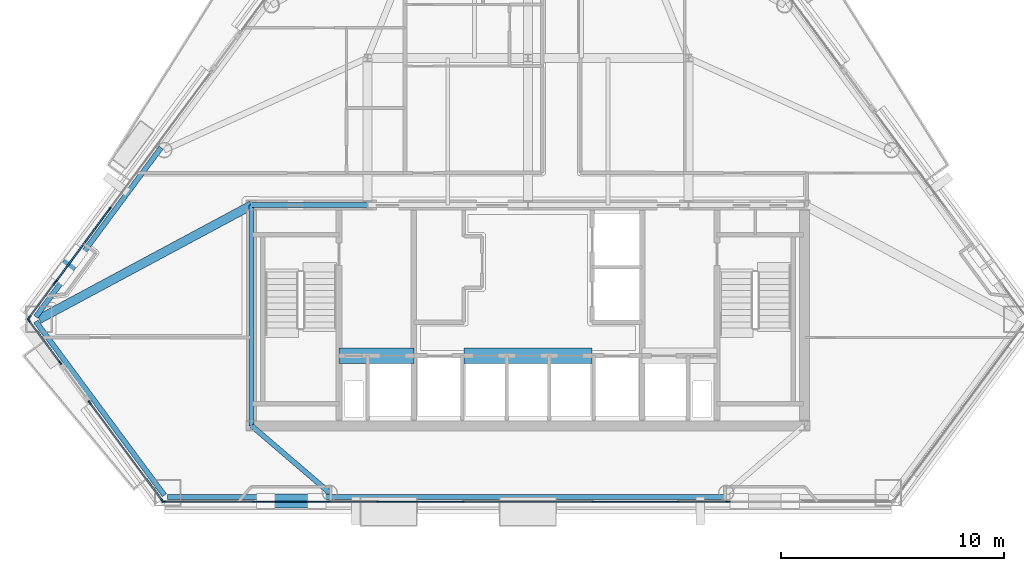
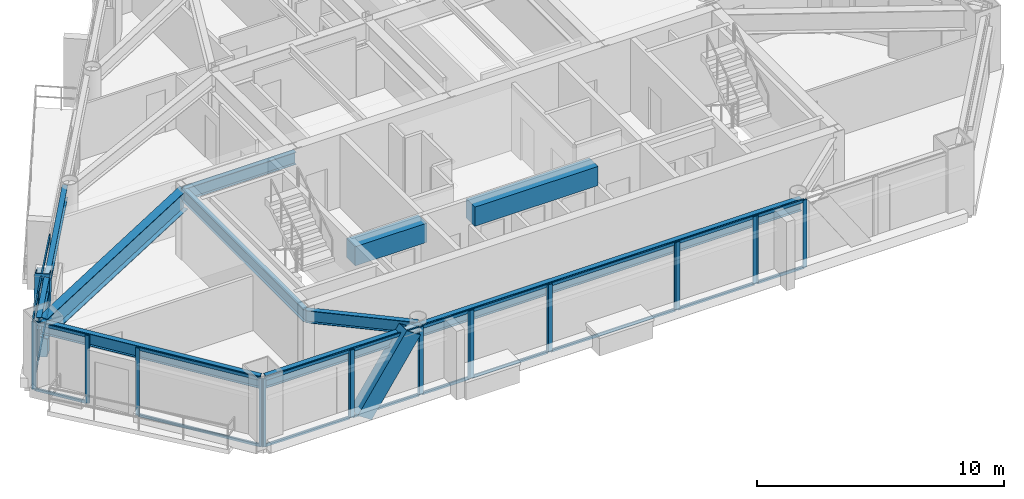
# One storey, part 3 of 13: 47 members, 10 beams, 12 elements without a shape of their own.
"""IFC4 building model written with IfcOpenShell, lengths in metres."""

from ifc_helpers import new_model, si_unit, direction, frame, origin, origin_2d, place, context, subcontext, project, spatial, rectangle, hollow_rectangle, i_section, extrude, material, layer, layer_set, material_profile, profile_set, type_object, element, aggregate, save


model = new_model("IFC4")

# Units and contexts
model_context = context("Model", 3, precision=1e-05, world=origin(), true_north=direction((0.0, 1.0)))
body_context = subcontext(model_context, "Body", "Model", "MODEL_VIEW")
ifc_project = project(units=[si_unit("LENGTHUNIT", "METRE"), si_unit("AREAUNIT", "SQUARE_METRE"), si_unit("VOLUMEUNIT", "CUBIC_METRE"), si_unit("PLANEANGLEUNIT", "RADIAN"), si_unit("MASSUNIT", "GRAM", prefix="KILO")], contexts=[model_context])

# Site, building, storey
site_placement = place(None, origin())
site = spatial("IfcSite", under=ifc_project, at=site_placement, CompositionType="ELEMENT")
building_placement = place(site_placement, origin())
building = spatial("IfcBuilding", under=site, at=building_placement, Name="Talgorran Terracotta Tower", CompositionType="ELEMENT")
storey_placement = place(building_placement, frame((0.0, 0.0, 99.60009765625)))
storey = spatial("IfcBuildingStorey", under=building, at=storey_placement, Name="L25", CompositionType="ELEMENT", Elevation=99.60009765625)

# Beams
ifc_material_1 = material(Name="Steel Grade 350 (350L0)", Category="steel")
ifc_material_profile_1 = material_profile(ifc_material_1, i_section(OverallWidth=0.39990234375, OverallDepth=1.0, WebThickness=0.01611328125, FlangeThickness=0.031005859375, at=origin_2d()), Name="1000WB296")
ifc_profile_set_1 = profile_set([ifc_material_profile_1], Name="Steel Grade 350 (350L0)")
beam_type_1 = type_object("IfcBeamType", Name="BM_1000WB296", PredefinedType="BEAM", material=ifc_profile_set_1)
beam_1_placement = place(storey_placement, frame((-12.39990234375, -4.199951171875, 2.849853515625), z_axis=(-0.88117219048, -0.472795485093, 0.0), x_axis=(0.472795485093, -0.88117219048, 0.0)))
element("IfcBeam", 1, at=beam_1_placement, inside=storey, type_object=beam_type_1, Name="L25 Floor Girder G17", PredefinedType="BEAM", context=body_context, shape_type="SweptSolid", body=[
    extrude(i_section(OverallWidth=0.39990234375, OverallDepth=1.0, WebThickness=0.01611328125, FlangeThickness=0.031005859375, at=origin_2d()), origin(), (0.0, 0.0, 1.0), 10.820068359375),
])
ifc_material_2 = material(Name="Concrete C65/80", Category="concrete")
ifc_material_profile_2 = material_profile(ifc_material_2, rectangle(XDim=0.699951171875, YDim=0.949951171875, at=origin_2d()), Name="RCCB700X950")
ifc_profile_set_2 = profile_set([ifc_material_profile_2], Name="Concrete C65/80")
beam_type_2 = type_object("IfcBeamType", Name="BM_CB_700X950", PredefinedType="LINTEL", material=ifc_profile_set_2)
beam_2_placement = place(storey_placement, frame((-8.47998046875, -10.949951171875, 2.875), z_axis=(1.0, 0.0, 0.0), x_axis=(0.0, 1.0, 0.0)))
element("IfcBeam", 2, at=beam_2_placement, inside=storey, type_object=beam_type_2, Name="L25 Core Shear-Wall Coupling Beam CB1", PredefinedType="LINTEL", context=body_context, shape_type="SweptSolid", body=[
    extrude(rectangle(XDim=0.699951171875, YDim=0.949951171875, at=origin_2d()), origin(), (0.0, 0.0, 1.0), 3.35986328125),
])
beam_3_placement = place(storey_placement, frame((-2.8798828125, -10.949951171875, 2.875), z_axis=(1.0, 0.0, 0.0), x_axis=(0.0, 1.0, 0.0)))
element("IfcBeam", 3, at=beam_3_placement, inside=storey, type_object=beam_type_2, Name="L25 Core Shear-Wall Coupling Beam CB2", PredefinedType="LINTEL", context=body_context, shape_type="SweptSolid", body=[
    extrude(rectangle(XDim=0.699951171875, YDim=0.949951171875, at=origin_2d()), origin(), (0.0, 0.0, 1.0), 5.759765625),
])
ifc_material_3 = material(Name="Steel S355 (300PLUS)", Category="steel")
ifc_material_profile_3 = material_profile(ifc_material_3, i_section(OverallWidth=0.22900390625, OverallDepth=0.611572265625, WebThickness=0.011962890625, FlangeThickness=0.01953125, at=origin_2d()), Name="610UB125")
ifc_profile_set_3 = profile_set([ifc_material_profile_3], Name="Steel S355 (300PLUS)")
beam_type_3 = type_object("IfcBeamType", Name="BM_SP_610UB125", PredefinedType="SPANDREL", material=ifc_profile_set_3)
beam_4_placement = place(storey_placement, frame((-22.0791015625, -9.422607421875, 3.044189453125), z_axis=(0.594914928608, -0.803788671057, 0.0), x_axis=(0.803788671057, 0.594914928608, 0.0)))
element("IfcBeam", 4, at=beam_4_placement, inside=storey, type_object=beam_type_3, Name="L25 Perimeter Spandrel Beam MC1-MC2", PredefinedType="SPANDREL", context=body_context, shape_type="SweptSolid", body=[
    extrude(i_section(OverallWidth=0.22900390625, OverallDepth=0.611572265625, WebThickness=0.011962890625, FlangeThickness=0.01953125, at=origin_2d()), origin(), (0.0, 0.0, 1.0), 9.6943359375),
])
beam_5_placement = place(storey_placement, frame((-16.1669921875, -17.287841796875, 3.044189453125), z_axis=(1.0, 0.0, 0.0), x_axis=(0.0, 1.0, 0.0)))
element("IfcBeam", 5, at=beam_5_placement, inside=storey, type_object=beam_type_3, Name="L25 Perimeter Spandrel Beam MC2-FC1", PredefinedType="SPANDREL", context=body_context, shape_type="SweptSolid", body=[
    extrude(i_section(OverallWidth=0.22900390625, OverallDepth=0.611572265625, WebThickness=0.011962890625, FlangeThickness=0.01953125, at=origin_2d()), origin(), (0.0, 0.0, 1.0), 7.275146484375),
])
beam_6_placement = place(storey_placement, frame((-8.891845703125, -17.287841796875, 3.044189453125), z_axis=(1.0, 0.0, 0.0), x_axis=(0.0, 1.0, 0.0)))
element("IfcBeam", 6, at=beam_6_placement, inside=storey, type_object=beam_type_3, Name="L25 Perimeter Spandrel Beam FC1-FC2", PredefinedType="SPANDREL", context=body_context, shape_type="SweptSolid", body=[
    extrude(i_section(OverallWidth=0.22900390625, OverallDepth=0.611572265625, WebThickness=0.011962890625, FlangeThickness=0.01953125, at=origin_2d()), origin(), (0.0, 0.0, 1.0), 17.78369140625),
])
beam_7_placement = place(storey_placement, frame((-16.46337890625, -1.621337890625, 3.044189453125), z_axis=(-0.594926898508, -0.803779811535, 0.0), x_axis=(0.803779811535, -0.594926898508, 0.0)))
element("IfcBeam", 7, at=beam_7_placement, inside=storey, type_object=beam_type_3, Name="L25 Perimeter Spandrel Beam FC6-MC1", PredefinedType="SPANDREL", context=body_context, shape_type="SweptSolid", body=[
    extrude(i_section(OverallWidth=0.22900390625, OverallDepth=0.611572265625, WebThickness=0.011962890625, FlangeThickness=0.01953125, at=origin_2d()), origin(), (0.0, 0.0, 1.0), 9.439453125),
])
beam_8_placement = place(storey_placement, frame((-8.891845703125, -17.10791015625, 3.044189453125), z_axis=(-0.759159629556, 0.650904491345, 0.0), x_axis=(-0.650904491345, -0.759159629556, 0.0)))
element("IfcBeam", 8, at=beam_8_placement, inside=storey, type_object=beam_type_3, Name="L25 South-West Core Tie Beam", PredefinedType="SPANDREL", context=body_context, shape_type="SweptSolid", body=[
    extrude(i_section(OverallWidth=0.22900390625, OverallDepth=0.611572265625, WebThickness=0.011962890625, FlangeThickness=0.01953125, at=origin_2d()), origin(), (0.0, 0.0, 1.0), 4.62109375),
])
beam_9_placement = place(storey_placement, frame((-12.39990234375, -14.10009765625, 3.044189453125), z_axis=(0.0, 1.0, 0.0), x_axis=(-1.0, 0.0, 0.0)))
element("IfcBeam", 9, at=beam_9_placement, inside=storey, type_object=beam_type_3, Name="L25 Core Frame Beam CFW", PredefinedType="SPANDREL", context=body_context, shape_type="SweptSolid", body=[
    extrude(i_section(OverallWidth=0.22900390625, OverallDepth=0.611572265625, WebThickness=0.011962890625, FlangeThickness=0.01953125, at=origin_2d()), origin(), (0.0, 0.0, 1.0), 9.900146484375),
])
beam_10_placement = place(storey_placement, frame((-12.39990234375, -4.199951171875, 3.044189453125), z_axis=(1.0, 0.0, 0.0), x_axis=(0.0, 1.0, 0.0)))
element("IfcBeam", 10, at=beam_10_placement, inside=storey, type_object=beam_type_3, Name="L25 Core Frame Beam CFN1", PredefinedType="SPANDREL", context=body_context, shape_type="SweptSolid", body=[
    extrude(i_section(OverallWidth=0.22900390625, OverallDepth=0.611572265625, WebThickness=0.011962890625, FlangeThickness=0.01953125, at=origin_2d()), origin(), (0.0, 0.0, 1.0), 5.199951171875),
])

# Members
ifc_material_profile_4 = material_profile(ifc_material_1, hollow_rectangle(XDim=0.6201171875, YDim=0.780029296875, WallThickness=0.0419921875, at=origin_2d()), Name="WBOX780X620X42")
ifc_profile_set_4 = profile_set([ifc_material_profile_4], Name="Steel Grade 350 (350L0)")
member_type_1 = type_object("IfcMemberType", Name="MB_MEGA_780", PredefinedType="BRACE", material=ifc_profile_set_4)
member_1_placement = place(storey_placement, frame((-11.77099609375, -17.4677734375, -0.025146484375), z_axis=(0.55841972625, 0.0, 0.829558562932), x_axis=(0.0, 1.0, 0.0)))
element("IfcMember", 11, at=member_1_placement, inside=storey, type_object=member_type_1, Name="L25 Exterior Face Mega-Brace MB-2 (SWF)", PredefinedType="BRACE", context=body_context, shape_type="SweptSolid", body=[
    extrude(hollow_rectangle(XDim=0.6201171875, YDim=0.780029296875, WallThickness=0.0419921875, at=origin_2d()), origin(), (0.0, 0.0, 1.0), 4.0986328125),
])
member_2_placement = place(storey_placement, frame((-20.881591796875, -7.2880859375, -0.025146484375), z_axis=(0.170087742889, 0.229811108919, 0.958257279616), x_axis=(-0.803795867717, 0.594905205089, 0.0)))
element("IfcMember", 12, at=member_2_placement, inside=storey, type_object=member_type_1, Name="L25 Exterior Face Mega-Brace MB-2 (NWL)", PredefinedType="BRACE", context=body_context, shape_type="SweptSolid", body=[
    extrude(hollow_rectangle(XDim=0.6201171875, YDim=0.780029296875, WallThickness=0.0419921875, at=origin_2d()), origin(), (0.0, 0.0, 1.0), 3.54833984375),
])

# Curtain wall, members
ifc_material_4 = material(Name="Unitised Low-E Double Glazing", Category="glass")
ifc_layer = layer(ifc_material_4, 0.199951171875, Name="CW_SYS2_RES_LOW")
ifc_layer_set = layer_set([ifc_layer], Name="Unitised Low-E Double Glazing")
curtain_wall_type = type_object("IfcCurtainWallType", Name="CW_SYS2_RES_LOW", PredefinedType="NOTDEFINED", material=ifc_layer_set)
curtain_wall_1_placement = place(storey_placement, origin())
curtain_wall_1 = element("IfcCurtainWall", 13, at=curtain_wall_1_placement, inside=storey, type_object=curtain_wall_type, Name="CW-L25-F10", PredefinedType="NOTDEFINED")
ifc_material_5 = material(Name="Architectural Aluminium 6063-T6", Category="aluminium")
ifc_material_profile_5 = material_profile(ifc_material_5, rectangle(XDim=0.06494140625, YDim=0.18505859375, at=origin_2d()), Name="CWM65X185")
ifc_profile_set_5 = profile_set([ifc_material_profile_5], Name="Architectural Aluminium 6063-T6")
member_type_2 = type_object("IfcMemberType", Name="MUL_65X185", PredefinedType="MULLION", material=ifc_profile_set_5)
member_3_placement = place(storey_placement, frame((-22.388671875, -9.3740234375, 0.0), z_axis=(0.0, 0.0, 1.0), x_axis=(0.803784171687, 0.594921007652, 0.0)))
member_3 = element("IfcMember", 14, at=member_3_placement, type_object=member_type_2, Name="CW-L25-10 mullion 1", PredefinedType="MULLION", context=body_context, shape_type="SweptSolid", body=[
    extrude(rectangle(XDim=0.06494140625, YDim=0.18505859375, at=origin_2d()), origin(), (0.0, 0.0, 1.0), 3.349853515625),
])
member_4_placement = place(storey_placement, frame((-20.988525390625, -11.265869140625, 0.0), z_axis=(0.0, 0.0, 1.0), x_axis=(0.803784171687, 0.594921007652, 0.0)))
member_4 = element("IfcMember", 15, at=member_4_placement, type_object=member_type_2, Name="CW-L25-10 mullion 2", PredefinedType="MULLION", context=body_context, shape_type="SweptSolid", body=[
    extrude(rectangle(XDim=0.06494140625, YDim=0.18505859375, at=origin_2d()), origin(), (0.0, 0.0, 1.0), 3.349853515625),
])

curtain_wall_2_placement = place(storey_placement, origin())
curtain_wall_2 = element("IfcCurtainWall", 16, at=curtain_wall_2_placement, inside=storey, type_object=curtain_wall_type, Name="CW-L25-F11", PredefinedType="NOTDEFINED")
member_5_placement = place(storey_placement, frame((-19.664794921875, -13.054443359375, 0.0), z_axis=(0.0, 0.0, 1.0), x_axis=(0.803787970557, 0.594915875051, 0.0)))
member_5 = element("IfcMember", 17, at=member_5_placement, type_object=member_type_2, Name="CW-L25-11 mullion 1", PredefinedType="MULLION", context=body_context, shape_type="SweptSolid", body=[
    extrude(rectangle(XDim=0.06494140625, YDim=0.18505859375, at=origin_2d()), origin(), (0.0, 0.0, 1.0), 3.349853515625),
])
member_6_placement = place(storey_placement, frame((-16.41162109375, -17.449462890625, 0.0), z_axis=(0.0, 0.0, 1.0), x_axis=(0.803787970557, 0.594915875051, 0.0)))
member_6 = element("IfcMember", 18, at=member_6_placement, type_object=member_type_2, Name="CW-L25-11 mullion 2", PredefinedType="MULLION", context=body_context, shape_type="SweptSolid", body=[
    extrude(rectangle(XDim=0.06494140625, YDim=0.18505859375, at=origin_2d()), origin(), (0.0, 0.0, 1.0), 3.349853515625),
])

curtain_wall_3_placement = place(storey_placement, origin())
curtain_wall_3 = element("IfcCurtainWall", 19, at=curtain_wall_3_placement, inside=storey, type_object=curtain_wall_type, Name="CW-L25-F1", PredefinedType="NOTDEFINED")
member_7_placement = place(storey_placement, frame((-16.336181640625, -17.5078125, 0.0), z_axis=(0.0, 0.0, 1.0), x_axis=(0.0, 1.0, 0.0)))
member_7 = element("IfcMember", 20, at=member_7_placement, type_object=member_type_2, Name="CW-L25-1 mullion 1", PredefinedType="MULLION", context=body_context, shape_type="SweptSolid", body=[
    extrude(rectangle(XDim=0.06494140625, YDim=0.18505859375, at=origin_2d()), origin(), (0.0, 0.0, 1.0), 3.349853515625),
])
member_8_placement = place(storey_placement, frame((-12.281982421875, -17.5078125, 0.0), z_axis=(0.0, 0.0, 1.0), x_axis=(0.0, 1.0, 0.0)))
member_8 = element("IfcMember", 21, at=member_8_placement, type_object=member_type_2, Name="CW-L25-1 mullion 2", PredefinedType="MULLION", context=body_context, shape_type="SweptSolid", body=[
    extrude(rectangle(XDim=0.06494140625, YDim=0.18505859375, at=origin_2d()), origin(), (0.0, 0.0, 1.0), 3.349853515625),
])

curtain_wall_4_placement = place(storey_placement, origin())
curtain_wall_4 = element("IfcCurtainWall", 22, at=curtain_wall_4_placement, inside=storey, type_object=curtain_wall_type, Name="CW-L25-F1B", PredefinedType="NOTDEFINED")
member_9_placement = place(storey_placement, frame((-12.206787109375, -17.5078125, 0.0), z_axis=(0.0, 0.0, 1.0), x_axis=(0.0, 1.0, 0.0)))
member_9 = element("IfcMember", 23, at=member_9_placement, type_object=member_type_2, Name="CW-L25-1B mullion 1", PredefinedType="MULLION", context=body_context, shape_type="SweptSolid", body=[
    extrude(rectangle(XDim=0.06494140625, YDim=0.18505859375, at=origin_2d()), origin(), (0.0, 0.0, 1.0), 3.349853515625),
])
member_10_placement = place(storey_placement, frame((-9.046142578125, -17.5078125, 0.0), z_axis=(0.0, 0.0, 1.0), x_axis=(0.0, 1.0, 0.0)))
member_10 = element("IfcMember", 24, at=member_10_placement, type_object=member_type_2, Name="CW-L25-1B mullion 2", PredefinedType="MULLION", context=body_context, shape_type="SweptSolid", body=[
    extrude(rectangle(XDim=0.06494140625, YDim=0.18505859375, at=origin_2d()), origin(), (0.0, 0.0, 1.0), 3.349853515625),
])

curtain_wall_5_placement = place(storey_placement, origin())
curtain_wall_5 = element("IfcCurtainWall", 25, at=curtain_wall_5_placement, inside=storey, type_object=curtain_wall_type, Name="CW-L25-F1C", PredefinedType="NOTDEFINED")
member_11_placement = place(storey_placement, frame((-8.97119140625, -17.5078125, 0.0), z_axis=(0.0, 0.0, 1.0), x_axis=(0.0, 1.0, 0.0)))
member_11 = element("IfcMember", 26, at=member_11_placement, type_object=member_type_2, Name="CW-L25-1C mullion 1", PredefinedType="MULLION", context=body_context, shape_type="SweptSolid", body=[
    extrude(rectangle(XDim=0.06494140625, YDim=0.18505859375, at=origin_2d()), origin(), (0.0, 0.0, 1.0), 3.349853515625),
])
member_12_placement = place(storey_placement, frame((-6.701904296875, -17.5078125, 0.0), z_axis=(0.0, 0.0, 1.0), x_axis=(0.0, 1.0, 0.0)))
member_12 = element("IfcMember", 27, at=member_12_placement, type_object=member_type_2, Name="CW-L25-1C mullion 2", PredefinedType="MULLION", context=body_context, shape_type="SweptSolid", body=[
    extrude(rectangle(XDim=0.06494140625, YDim=0.18505859375, at=origin_2d()), origin(), (0.0, 0.0, 1.0), 3.349853515625),
])

curtain_wall_6_placement = place(storey_placement, origin())
curtain_wall_6 = element("IfcCurtainWall", 28, at=curtain_wall_6_placement, inside=storey, type_object=curtain_wall_type, Name="CW-L25-F1D", PredefinedType="NOTDEFINED")
member_13_placement = place(storey_placement, frame((-6.626953125, -17.5078125, 0.0), z_axis=(0.0, 0.0, 1.0), x_axis=(0.0, 1.0, 0.0)))
member_13 = element("IfcMember", 29, at=member_13_placement, type_object=member_type_2, Name="CW-L25-1D mullion 1", PredefinedType="MULLION", context=body_context, shape_type="SweptSolid", body=[
    extrude(rectangle(XDim=0.06494140625, YDim=0.18505859375, at=origin_2d()), origin(), (0.0, 0.0, 1.0), 3.349853515625),
])
member_14_placement = place(storey_placement, frame((-3.018798828125, -17.5078125, 0.0), z_axis=(0.0, 0.0, 1.0), x_axis=(0.0, 1.0, 0.0)))
member_14 = element("IfcMember", 30, at=member_14_placement, type_object=member_type_2, Name="CW-L25-1D mullion 2", PredefinedType="MULLION", context=body_context, shape_type="SweptSolid", body=[
    extrude(rectangle(XDim=0.06494140625, YDim=0.18505859375, at=origin_2d()), origin(), (0.0, 0.0, 1.0), 3.349853515625),
])

curtain_wall_7_placement = place(storey_placement, origin())
curtain_wall_7 = element("IfcCurtainWall", 31, at=curtain_wall_7_placement, inside=storey, type_object=curtain_wall_type, Name="CW-L25-F1E", PredefinedType="NOTDEFINED")
member_15_placement = place(storey_placement, frame((-2.943603515625, -17.5078125, 0.0), z_axis=(0.0, 0.0, 1.0), x_axis=(0.0, 1.0, 0.0)))
member_15 = element("IfcMember", 32, at=member_15_placement, type_object=member_type_2, Name="CW-L25-1E mullion 1", PredefinedType="MULLION", context=body_context, shape_type="SweptSolid", body=[
    extrude(rectangle(XDim=0.06494140625, YDim=0.18505859375, at=origin_2d()), origin(), (0.0, 0.0, 1.0), 3.349853515625),
])
member_16_placement = place(storey_placement, frame((2.943603515625, -17.5078125, 0.0), z_axis=(0.0, 0.0, 1.0), x_axis=(0.0, 1.0, 0.0)))
member_16 = element("IfcMember", 33, at=member_16_placement, type_object=member_type_2, Name="CW-L25-1E mullion 2", PredefinedType="MULLION", context=body_context, shape_type="SweptSolid", body=[
    extrude(rectangle(XDim=0.06494140625, YDim=0.18505859375, at=origin_2d()), origin(), (0.0, 0.0, 1.0), 3.349853515625),
])

curtain_wall_8_placement = place(storey_placement, origin())
curtain_wall_8 = element("IfcCurtainWall", 34, at=curtain_wall_8_placement, inside=storey, type_object=curtain_wall_type, Name="CW-L25-F1F", PredefinedType="NOTDEFINED")
member_17_placement = place(storey_placement, frame((3.018798828125, -17.5078125, 0.0), z_axis=(0.0, 0.0, 1.0), x_axis=(0.0, 1.0, 0.0)))
member_17 = element("IfcMember", 35, at=member_17_placement, type_object=member_type_2, Name="CW-L25-1F mullion 1", PredefinedType="MULLION", context=body_context, shape_type="SweptSolid", body=[
    extrude(rectangle(XDim=0.06494140625, YDim=0.18505859375, at=origin_2d()), origin(), (0.0, 0.0, 1.0), 3.349853515625),
])
member_18_placement = place(storey_placement, frame((6.626953125, -17.5078125, 0.0), z_axis=(0.0, 0.0, 1.0), x_axis=(0.0, 1.0, 0.0)))
member_18 = element("IfcMember", 36, at=member_18_placement, type_object=member_type_2, Name="CW-L25-1F mullion 2", PredefinedType="MULLION", context=body_context, shape_type="SweptSolid", body=[
    extrude(rectangle(XDim=0.06494140625, YDim=0.18505859375, at=origin_2d()), origin(), (0.0, 0.0, 1.0), 3.349853515625),
])

curtain_wall_9_placement = place(storey_placement, origin())
curtain_wall_9 = element("IfcCurtainWall", 37, at=curtain_wall_9_placement, inside=storey, type_object=curtain_wall_type, Name="CW-L25-F1G", PredefinedType="NOTDEFINED")
member_19_placement = place(storey_placement, frame((6.701904296875, -17.5078125, 0.0), z_axis=(0.0, 0.0, 1.0), x_axis=(0.0, 1.0, 0.0)))
member_19 = element("IfcMember", 38, at=member_19_placement, type_object=member_type_2, Name="CW-L25-1G mullion 1", PredefinedType="MULLION", context=body_context, shape_type="SweptSolid", body=[
    extrude(rectangle(XDim=0.06494140625, YDim=0.18505859375, at=origin_2d()), origin(), (0.0, 0.0, 1.0), 3.349853515625),
])
member_20_placement = place(storey_placement, frame((8.97119140625, -17.5078125, 0.0), z_axis=(0.0, 0.0, 1.0), x_axis=(0.0, 1.0, 0.0)))
member_20 = element("IfcMember", 39, at=member_20_placement, type_object=member_type_2, Name="CW-L25-1G mullion 2", PredefinedType="MULLION", context=body_context, shape_type="SweptSolid", body=[
    extrude(rectangle(XDim=0.06494140625, YDim=0.18505859375, at=origin_2d()), origin(), (0.0, 0.0, 1.0), 3.349853515625),
])

# Curtain wall, member
curtain_wall_10_placement = place(storey_placement, origin())
curtain_wall_10 = element("IfcCurtainWall", 40, at=curtain_wall_10_placement, inside=storey, type_object=curtain_wall_type, Name="CW-L25-F61", PredefinedType="NOTDEFINED")
member_21_placement = place(storey_placement, frame((-18.769287109375, -4.366943359375, 0.0), z_axis=(0.0, 0.0, 1.0), x_axis=(0.803792121414, -0.594910266807, 0.0)))
member_21 = element("IfcMember", 41, at=member_21_placement, type_object=member_type_2, Name="CW-L25-61 mullion 2", PredefinedType="MULLION", context=body_context, shape_type="SweptSolid", body=[
    extrude(rectangle(XDim=0.06494140625, YDim=0.18505859375, at=origin_2d()), origin(), (0.0, 0.0, 1.0), 3.349853515625),
])
aggregate(curtain_wall_10, [member_21])

# Curtain wall, members
curtain_wall_11_placement = place(storey_placement, origin())
curtain_wall_11 = element("IfcCurtainWall", 42, at=curtain_wall_11_placement, inside=storey, type_object=curtain_wall_type, Name="CW-L25-F61B", PredefinedType="NOTDEFINED")
member_22_placement = place(storey_placement, frame((-18.81396484375, -4.42724609375, 0.0), z_axis=(0.0, 0.0, 1.0), x_axis=(0.803783307377, -0.594922175399, 0.0)))
member_22 = element("IfcMember", 43, at=member_22_placement, type_object=member_type_2, Name="CW-L25-61B mullion 1", PredefinedType="MULLION", context=body_context, shape_type="SweptSolid", body=[
    extrude(rectangle(XDim=0.06494140625, YDim=0.18505859375, at=origin_2d()), origin(), (0.0, 0.0, 1.0), 3.349853515625),
])
member_23_placement = place(storey_placement, frame((-21.202880859375, -7.655029296875, 0.0), z_axis=(0.0, 0.0, 1.0), x_axis=(0.803783307377, -0.594922175399, 0.0)))
member_23 = element("IfcMember", 44, at=member_23_placement, type_object=member_type_2, Name="CW-L25-61B mullion 2", PredefinedType="MULLION", context=body_context, shape_type="SweptSolid", body=[
    extrude(rectangle(XDim=0.06494140625, YDim=0.18505859375, at=origin_2d()), origin(), (0.0, 0.0, 1.0), 3.349853515625),
])

curtain_wall_12_placement = place(storey_placement, origin())
curtain_wall_12 = element("IfcCurtainWall", 45, at=curtain_wall_12_placement, inside=storey, type_object=curtain_wall_type, Name="CW-L25-F61C", PredefinedType="NOTDEFINED")
member_24_placement = place(storey_placement, frame((-21.24755859375, -7.71533203125, 0.0), z_axis=(0.0, 0.0, 1.0), x_axis=(0.803777762488, -0.594929666877, 0.0)))
member_24 = element("IfcMember", 46, at=member_24_placement, type_object=member_type_2, Name="CW-L25-61C mullion 1", PredefinedType="MULLION", context=body_context, shape_type="SweptSolid", body=[
    extrude(rectangle(XDim=0.06494140625, YDim=0.18505859375, at=origin_2d()), origin(), (0.0, 0.0, 1.0), 3.349853515625),
])
member_25_placement = place(storey_placement, frame((-22.388671875, -9.25732421875, 0.0), z_axis=(0.0, 0.0, 1.0), x_axis=(0.803777762488, -0.594929666877, 0.0)))
member_25 = element("IfcMember", 47, at=member_25_placement, type_object=member_type_2, Name="CW-L25-61C mullion 2", PredefinedType="MULLION", context=body_context, shape_type="SweptSolid", body=[
    extrude(rectangle(XDim=0.06494140625, YDim=0.18505859375, at=origin_2d()), origin(), (0.0, 0.0, 1.0), 3.349853515625),
])

# Member
ifc_material_profile_6 = material_profile(ifc_material_5, rectangle(XDim=0.06494140625, YDim=0.14990234375, at=origin_2d()), Name="CWT65X150")
ifc_profile_set_6 = profile_set([ifc_material_profile_6], Name="Architectural Aluminium 6063-T6")
member_type_3 = type_object("IfcMemberType", Name="TRN_65X150", PredefinedType="USERDEFINED", material=ifc_profile_set_6)
member_26_placement = place(storey_placement, frame((-22.369384765625, -9.400146484375, 0.032470703125), z_axis=(0.59491882403, -0.803785787891, 0.0), x_axis=(0.803785787891, 0.59491882403, 0.0)))
member_26 = element("IfcMember", 48, at=member_26_placement, type_object=member_type_3, Name="CW-L25-10 transom 1.1", ObjectType="TRANSOM", PredefinedType="USERDEFINED", context=body_context, shape_type="SweptSolid", body=[
    extrude(rectangle(XDim=0.06494140625, YDim=0.14990234375, at=origin_2d()), origin(), (0.0, 0.0, 1.0), 2.28857421875),
])

member_27_placement = place(storey_placement, frame((-22.369384765625, -9.400146484375, 3.3173828125), z_axis=(0.59491882403, -0.803785787891, 0.0), x_axis=(0.803785787891, 0.59491882403, 0.0)))
member_27 = element("IfcMember", 49, at=member_27_placement, type_object=member_type_3, Name="CW-L25-10 transom 1.2", ObjectType="TRANSOM", PredefinedType="USERDEFINED", context=body_context, shape_type="SweptSolid", body=[
    extrude(rectangle(XDim=0.06494140625, YDim=0.14990234375, at=origin_2d()), origin(), (0.0, 0.0, 1.0), 2.28857421875),
])

aggregate(curtain_wall_1, [member_3, member_4, member_26, member_27])

member_28_placement = place(storey_placement, frame((-19.6455078125, -13.08056640625, 0.032470703125), z_axis=(0.594927092022, -0.803779668304, 0.0), x_axis=(0.803779668304, 0.594927092022, 0.0)))
member_28 = element("IfcMember", 50, at=member_28_placement, type_object=member_type_3, Name="CW-L25-11 transom 1.1", ObjectType="TRANSOM", PredefinedType="USERDEFINED", context=body_context, shape_type="SweptSolid", body=[
    extrude(rectangle(XDim=0.06494140625, YDim=0.14990234375, at=origin_2d()), origin(), (0.0, 0.0, 1.0), 5.40283203125),
])

member_29_placement = place(storey_placement, frame((-19.6455078125, -13.08056640625, 3.3173828125), z_axis=(0.594927092022, -0.803779668304, 0.0), x_axis=(0.803779668304, 0.594927092022, 0.0)))
member_29 = element("IfcMember", 51, at=member_29_placement, type_object=member_type_3, Name="CW-L25-11 transom 1.2", ObjectType="TRANSOM", PredefinedType="USERDEFINED", context=body_context, shape_type="SweptSolid", body=[
    extrude(rectangle(XDim=0.06494140625, YDim=0.14990234375, at=origin_2d()), origin(), (0.0, 0.0, 1.0), 5.40283203125),
])

aggregate(curtain_wall_2, [member_5, member_6, member_28, member_29])

member_30_placement = place(storey_placement, frame((-16.3037109375, -17.5078125, 0.032470703125), z_axis=(1.0, 0.0, 0.0), x_axis=(0.0, 1.0, 0.0)))
member_30 = element("IfcMember", 52, at=member_30_placement, type_object=member_type_3, Name="CW-L25-1 transom 1.1", ObjectType="TRANSOM", PredefinedType="USERDEFINED", context=body_context, shape_type="SweptSolid", body=[
    extrude(rectangle(XDim=0.06494140625, YDim=0.14990234375, at=origin_2d()), origin(), (0.0, 0.0, 1.0), 3.9892578125),
])

member_31_placement = place(storey_placement, frame((-16.3037109375, -17.5078125, 3.3173828125), z_axis=(1.0, 0.0, 0.0), x_axis=(0.0, 1.0, 0.0)))
member_31 = element("IfcMember", 53, at=member_31_placement, type_object=member_type_3, Name="CW-L25-1 transom 1.2", ObjectType="TRANSOM", PredefinedType="USERDEFINED", context=body_context, shape_type="SweptSolid", body=[
    extrude(rectangle(XDim=0.06494140625, YDim=0.14990234375, at=origin_2d()), origin(), (0.0, 0.0, 1.0), 3.9892578125),
])

aggregate(curtain_wall_3, [member_7, member_8, member_30, member_31])

member_32_placement = place(storey_placement, frame((-12.17431640625, -17.5078125, 0.032470703125), z_axis=(1.0, 0.0, 0.0), x_axis=(0.0, 1.0, 0.0)))
member_32 = element("IfcMember", 54, at=member_32_placement, type_object=member_type_3, Name="CW-L25-1B transom 1.1", ObjectType="TRANSOM", PredefinedType="USERDEFINED", context=body_context, shape_type="SweptSolid", body=[
    extrude(rectangle(XDim=0.06494140625, YDim=0.14990234375, at=origin_2d()), origin(), (0.0, 0.0, 1.0), 3.095703125),
])

member_33_placement = place(storey_placement, frame((-12.17431640625, -17.5078125, 3.3173828125), z_axis=(1.0, 0.0, 0.0), x_axis=(0.0, 1.0, 0.0)))
member_33 = element("IfcMember", 55, at=member_33_placement, type_object=member_type_3, Name="CW-L25-1B transom 1.2", ObjectType="TRANSOM", PredefinedType="USERDEFINED", context=body_context, shape_type="SweptSolid", body=[
    extrude(rectangle(XDim=0.06494140625, YDim=0.14990234375, at=origin_2d()), origin(), (0.0, 0.0, 1.0), 3.095703125),
])

aggregate(curtain_wall_4, [member_9, member_10, member_32, member_33])

member_34_placement = place(storey_placement, frame((-8.938720703125, -17.5078125, 0.032470703125), z_axis=(1.0, 0.0, 0.0), x_axis=(0.0, 1.0, 0.0)))
member_34 = element("IfcMember", 56, at=member_34_placement, type_object=member_type_3, Name="CW-L25-1C transom 1.1", ObjectType="TRANSOM", PredefinedType="USERDEFINED", context=body_context, shape_type="SweptSolid", body=[
    extrude(rectangle(XDim=0.06494140625, YDim=0.14990234375, at=origin_2d()), origin(), (0.0, 0.0, 1.0), 2.204345703125),
])

member_35_placement = place(storey_placement, frame((-8.938720703125, -17.5078125, 3.3173828125), z_axis=(1.0, 0.0, 0.0), x_axis=(0.0, 1.0, 0.0)))
member_35 = element("IfcMember", 57, at=member_35_placement, type_object=member_type_3, Name="CW-L25-1C transom 1.2", ObjectType="TRANSOM", PredefinedType="USERDEFINED", context=body_context, shape_type="SweptSolid", body=[
    extrude(rectangle(XDim=0.06494140625, YDim=0.14990234375, at=origin_2d()), origin(), (0.0, 0.0, 1.0), 2.204345703125),
])

aggregate(curtain_wall_5, [member_11, member_12, member_34, member_35])

member_36_placement = place(storey_placement, frame((-6.594482421875, -17.5078125, 0.032470703125), z_axis=(1.0, 0.0, 0.0), x_axis=(0.0, 1.0, 0.0)))
member_36 = element("IfcMember", 58, at=member_36_placement, type_object=member_type_3, Name="CW-L25-1D transom 1.1", ObjectType="TRANSOM", PredefinedType="USERDEFINED", context=body_context, shape_type="SweptSolid", body=[
    extrude(rectangle(XDim=0.06494140625, YDim=0.14990234375, at=origin_2d()), origin(), (0.0, 0.0, 1.0), 3.543212890625),
])

member_37_placement = place(storey_placement, frame((-6.594482421875, -17.5078125, 3.3173828125), z_axis=(1.0, 0.0, 0.0), x_axis=(0.0, 1.0, 0.0)))
member_37 = element("IfcMember", 59, at=member_37_placement, type_object=member_type_3, Name="CW-L25-1D transom 1.2", ObjectType="TRANSOM", PredefinedType="USERDEFINED", context=body_context, shape_type="SweptSolid", body=[
    extrude(rectangle(XDim=0.06494140625, YDim=0.14990234375, at=origin_2d()), origin(), (0.0, 0.0, 1.0), 3.543212890625),
])

aggregate(curtain_wall_6, [member_13, member_14, member_36, member_37])

member_38_placement = place(storey_placement, frame((-2.9111328125, -17.5078125, 0.032470703125), z_axis=(1.0, 0.0, 0.0), x_axis=(0.0, 1.0, 0.0)))
member_38 = element("IfcMember", 60, at=member_38_placement, type_object=member_type_3, Name="CW-L25-1E transom 1.1", ObjectType="TRANSOM", PredefinedType="USERDEFINED", context=body_context, shape_type="SweptSolid", body=[
    extrude(rectangle(XDim=0.06494140625, YDim=0.14990234375, at=origin_2d()), origin(), (0.0, 0.0, 1.0), 5.822265625),
])

member_39_placement = place(storey_placement, frame((-2.9111328125, -17.5078125, 3.3173828125), z_axis=(1.0, 0.0, 0.0), x_axis=(0.0, 1.0, 0.0)))
member_39 = element("IfcMember", 61, at=member_39_placement, type_object=member_type_3, Name="CW-L25-1E transom 1.2", ObjectType="TRANSOM", PredefinedType="USERDEFINED", context=body_context, shape_type="SweptSolid", body=[
    extrude(rectangle(XDim=0.06494140625, YDim=0.14990234375, at=origin_2d()), origin(), (0.0, 0.0, 1.0), 5.822265625),
])

aggregate(curtain_wall_7, [member_15, member_16, member_38, member_39])

member_40_placement = place(storey_placement, frame((3.05126953125, -17.5078125, 0.032470703125), z_axis=(1.0, 0.0, 0.0), x_axis=(0.0, 1.0, 0.0)))
member_40 = element("IfcMember", 62, at=member_40_placement, type_object=member_type_3, Name="CW-L25-1F transom 1.1", ObjectType="TRANSOM", PredefinedType="USERDEFINED", context=body_context, shape_type="SweptSolid", body=[
    extrude(rectangle(XDim=0.06494140625, YDim=0.14990234375, at=origin_2d()), origin(), (0.0, 0.0, 1.0), 3.543212890625),
])

member_41_placement = place(storey_placement, frame((3.05126953125, -17.5078125, 3.3173828125), z_axis=(1.0, 0.0, 0.0), x_axis=(0.0, 1.0, 0.0)))
member_41 = element("IfcMember", 63, at=member_41_placement, type_object=member_type_3, Name="CW-L25-1F transom 1.2", ObjectType="TRANSOM", PredefinedType="USERDEFINED", context=body_context, shape_type="SweptSolid", body=[
    extrude(rectangle(XDim=0.06494140625, YDim=0.14990234375, at=origin_2d()), origin(), (0.0, 0.0, 1.0), 3.543212890625),
])

aggregate(curtain_wall_8, [member_17, member_18, member_40, member_41])

member_42_placement = place(storey_placement, frame((6.734375, -17.5078125, 0.032470703125), z_axis=(1.0, 0.0, 0.0), x_axis=(0.0, 1.0, 0.0)))
member_42 = element("IfcMember", 64, at=member_42_placement, type_object=member_type_3, Name="CW-L25-1G transom 1.1", ObjectType="TRANSOM", PredefinedType="USERDEFINED", context=body_context, shape_type="SweptSolid", body=[
    extrude(rectangle(XDim=0.06494140625, YDim=0.14990234375, at=origin_2d()), origin(), (0.0, 0.0, 1.0), 2.204345703125),
])

member_43_placement = place(storey_placement, frame((6.734375, -17.5078125, 3.3173828125), z_axis=(1.0, 0.0, 0.0), x_axis=(0.0, 1.0, 0.0)))
member_43 = element("IfcMember", 65, at=member_43_placement, type_object=member_type_3, Name="CW-L25-1G transom 1.2", ObjectType="TRANSOM", PredefinedType="USERDEFINED", context=body_context, shape_type="SweptSolid", body=[
    extrude(rectangle(XDim=0.06494140625, YDim=0.14990234375, at=origin_2d()), origin(), (0.0, 0.0, 1.0), 2.204345703125),
])

aggregate(curtain_wall_9, [member_19, member_20, member_42, member_43])

member_44_placement = place(storey_placement, frame((-18.833251953125, -4.453369140625, 0.032470703125), z_axis=(-0.594915676652, -0.8037881174, 0.0), x_axis=(0.8037881174, -0.594915676652, 0.0)))
member_44 = element("IfcMember", 66, at=member_44_placement, type_object=member_type_3, Name="CW-L25-61B transom 1.1", ObjectType="TRANSOM", PredefinedType="USERDEFINED", context=body_context, shape_type="SweptSolid", body=[
    extrude(rectangle(XDim=0.06494140625, YDim=0.14990234375, at=origin_2d()), origin(), (0.0, 0.0, 1.0), 3.95068359375),
])

member_45_placement = place(storey_placement, frame((-18.833251953125, -4.453369140625, 3.3173828125), z_axis=(-0.594915676652, -0.8037881174, 0.0), x_axis=(0.8037881174, -0.594915676652, 0.0)))
member_45 = element("IfcMember", 67, at=member_45_placement, type_object=member_type_3, Name="CW-L25-61B transom 1.2", ObjectType="TRANSOM", PredefinedType="USERDEFINED", context=body_context, shape_type="SweptSolid", body=[
    extrude(rectangle(XDim=0.06494140625, YDim=0.14990234375, at=origin_2d()), origin(), (0.0, 0.0, 1.0), 3.95068359375),
])

aggregate(curtain_wall_11, [member_22, member_23, member_44, member_45])

member_46_placement = place(storey_placement, frame((-21.266845703125, -7.741455078125, 0.032470703125), z_axis=(-0.59488726593, -0.803809144532, 0.0), x_axis=(0.803809144532, -0.59488726593, 0.0)))
member_46 = element("IfcMember", 68, at=member_46_placement, type_object=member_type_3, Name="CW-L25-61C transom 1.1", ObjectType="TRANSOM", PredefinedType="USERDEFINED", context=body_context, shape_type="SweptSolid", body=[
    extrude(rectangle(XDim=0.06494140625, YDim=0.14990234375, at=origin_2d()), origin(), (0.0, 0.0, 1.0), 1.853271484375),
])

member_47_placement = place(storey_placement, frame((-21.266845703125, -7.741455078125, 3.3173828125), z_axis=(-0.59488726593, -0.803809144532, 0.0), x_axis=(0.803809144532, -0.59488726593, 0.0)))
member_47 = element("IfcMember", 69, at=member_47_placement, type_object=member_type_3, Name="CW-L25-61C transom 1.2", ObjectType="TRANSOM", PredefinedType="USERDEFINED", context=body_context, shape_type="SweptSolid", body=[
    extrude(rectangle(XDim=0.06494140625, YDim=0.14990234375, at=origin_2d()), origin(), (0.0, 0.0, 1.0), 1.853271484375),
])

aggregate(curtain_wall_12, [member_24, member_25, member_46, member_47])

save(model, "model.ifc")
